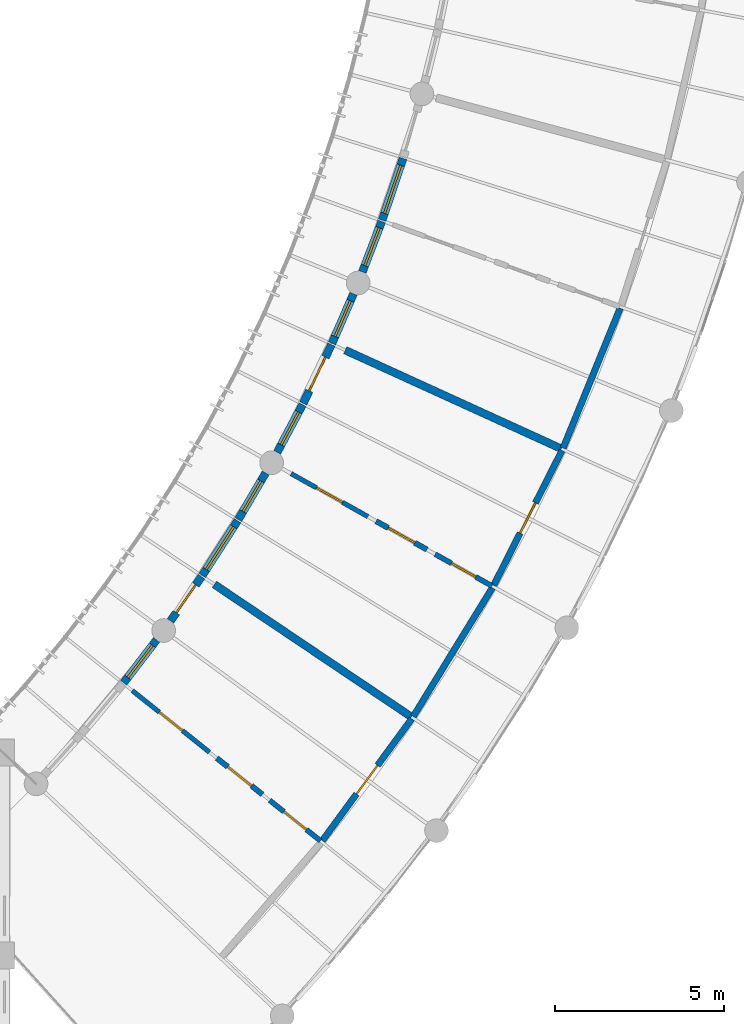
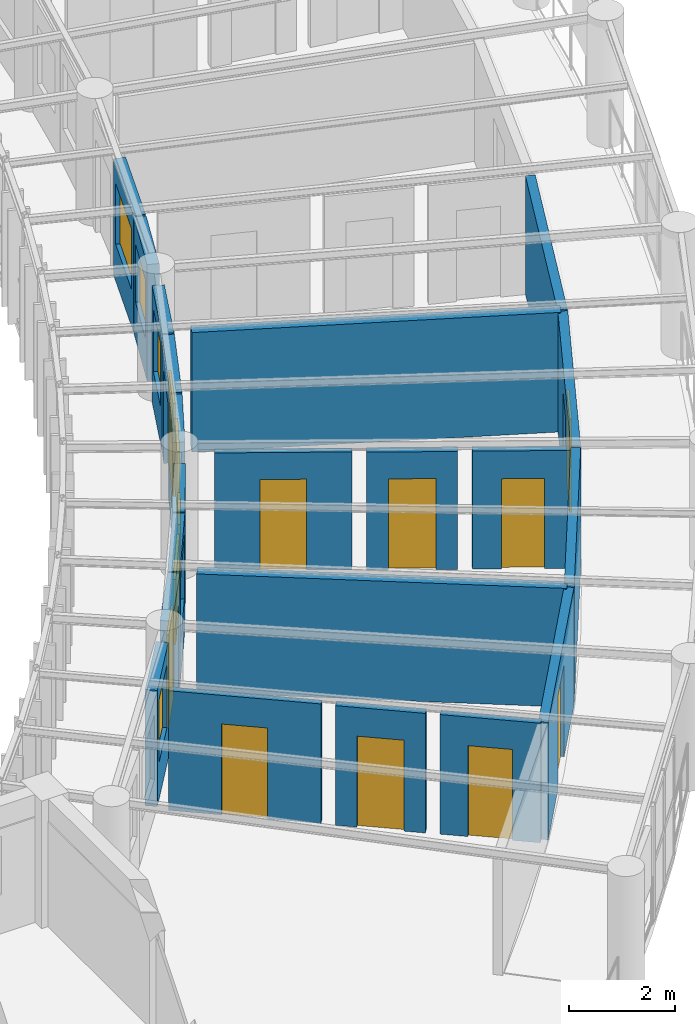
# One storey, part 92 of 137: 21 walls, 10 doors, 7 windows, 17 openings.
"""IFC4 building model written with IfcOpenShell, lengths in metres."""

from ifc_helpers import new_model, si_unit, direction, frame, frame_2d, origin, place, context, subcontext, project, spatial, rectangle, extrude, material, layer, layer_set, type_object, element, fill, save


model = new_model("IFC4")

# Units and contexts
model_context = context("Model", 3, precision=1e-05, world=origin(), true_north=direction((0.0, 1.0)))
body_context = subcontext(model_context, "Body", "Model", "MODEL_VIEW")
ifc_project = project(units=[si_unit("LENGTHUNIT", "METRE"), si_unit("AREAUNIT", "SQUARE_METRE"), si_unit("VOLUMEUNIT", "CUBIC_METRE"), si_unit("PLANEANGLEUNIT", "RADIAN"), si_unit("MASSUNIT", "GRAM", prefix="KILO"), si_unit("POWERUNIT", "WATT"), si_unit("THERMODYNAMICTEMPERATUREUNIT", "KELVIN")], contexts=[model_context])

# Site, building, storey
site_placement = place(None, origin())
site = spatial("IfcSite", under=ifc_project, at=site_placement, CompositionType="ELEMENT")
building_placement = place(site_placement, origin())
building = spatial("IfcBuilding", under=site, at=building_placement, Name="Ruvembo Vaulted Housing Court", CompositionType="ELEMENT")
storey_placement = place(building_placement, frame((0.0, 0.0, 4.5)))
storey = spatial("IfcBuildingStorey", under=building, at=storey_placement, Name="L01", CompositionType="ELEMENT", Elevation=4.5)

# Wall, opening, door
ifc_material_1 = material(Name="Concrete Blockwork 190", Category="masonry")
ifc_layer_1 = layer(ifc_material_1, 0.18994140625, Name="Concrete Blockwork 190")
ifc_layer_set_1 = layer_set([ifc_layer_1], Name="Concrete Blockwork 190")
wall_type_1 = type_object("IfcWallType", Name="WL-CORR-190", PredefinedType="SOLIDWALL", material=ifc_layer_set_1)
wall_1_placement = place(storey_placement, frame((45.392822265625, 39.400390625, 0.0), z_axis=(0.0, 0.0, 1.0), x_axis=(0.591475021239, 0.806323321783, 0.0)))
wall_1 = element("IfcWall", 1, at=wall_1_placement, inside=storey, type_object=wall_type_1, Name="L01 Suite SC1-L01-U1 Entrance WL-INT-L01-00371", PredefinedType="SOLIDWALL", context=body_context, shape_type="SweptSolid", body=[
    extrude(rectangle(XDim=4.467041015625, YDim=0.18994140625, at=frame_2d((2.2333984375, 0.0))), origin(), (0.0, 0.0, 1.0), 2.721923828125),
])
opening_1_placement = place(wall_1_placement, frame((1.70849609375, 0.0, 0.0)))
opening_1 = element("IfcOpeningElement", 2, at=opening_1_placement, cuts=wall_1, Name="Opening FD3", PredefinedType="OPENING", context=body_context, shape_type="SweptSolid", body=[
    extrude(rectangle(XDim=1.050048828125, YDim=2.14990234375, at=frame_2d((0.52490234375, 1.074951171875))), frame((0.0, 0.10498046875, 0.0), z_axis=(0.0, -1.0, 0.0), x_axis=(1.0, 0.0, 0.0)), (0.0, 0.0, 1.0), 0.2099609375),
])
ifc_material_2 = material(Name="FSC Hardwood and Engineered Timber", Category="wood")
door_type_1 = type_object("IfcDoorType", Name="DR-FLAT-1050x2150", OperationType="NOTDEFINED", PredefinedType="DOOR", material=ifc_material_2)
door_1_placement = place(opening_1_placement, origin())
door_1 = element("IfcDoor", 3, at=door_1_placement, inside=storey, type_object=door_type_1, Name="L01 Suite SC1-L01-U1 Entrance Door DR-INT-L01-00188", OperationType="SINGLE_SWING_RIGHT", OverallHeight=2.14990234375, OverallWidth=1.050048828125, PredefinedType="DOOR", context=body_context, shape_type="SweptSolid", body=[
    extrude(rectangle(XDim=1.050048828125, YDim=2.14990234375, at=frame_2d((0.52490234375, 1.074951171875))), frame((0.0, 0.02490234375, 0.0), z_axis=(0.0, -1.0, 0.0), x_axis=(1.0, 0.0, 0.0)), (0.0, 0.0, 1.0), 0.050048828125),
])
fill(opening_1, door_1)

# Wall
wall_2_placement = place(storey_placement, frame((48.07958984375, 43.068603515625, 0.0), z_axis=(0.0, 0.0, 1.0), x_axis=(0.523444746739, 0.852059620632, 0.0)))
element("IfcWall", 4, at=wall_2_placement, inside=storey, type_object=wall_type_1, Name="L01 Suite SC1-L01-U2 Gallery Wall WL-INT-L01-00376", PredefinedType="SOLIDWALL", context=body_context, shape_type="SweptSolid", body=[
    extrude(rectangle(XDim=4.46728515625, YDim=0.18994140625, at=frame_2d((2.233642578125, 0.0))), origin(), (0.0, 0.0, 1.0), 2.761962890625),
])

# Wall, opening, door
wall_3_placement = place(storey_placement, frame((50.45703125, 46.94482421875, 0.0), z_axis=(0.0, 0.0, 1.0), x_axis=(0.451972910967, 0.892031662976, 0.0)))
wall_3 = element("IfcWall", 5, at=wall_3_placement, inside=storey, type_object=wall_type_1, Name="L01 Suite SC1-L01-U2 Entrance WL-INT-L01-00377", PredefinedType="SOLIDWALL", context=body_context, shape_type="SweptSolid", body=[
    extrude(rectangle(XDim=4.46728515625, YDim=0.18994140625, at=frame_2d((2.233642578125, 0.0))), origin(), (0.0, 0.0, 1.0), 2.741943359375),
])
opening_2_placement = place(wall_3_placement, frame((1.733642578125, 0.0, 0.0)))
opening_2 = element("IfcOpeningElement", 6, at=opening_2_placement, cuts=wall_3, Name="Opening FD1", PredefinedType="OPENING", context=body_context, shape_type="SweptSolid", body=[
    extrude(rectangle(XDim=1.0, YDim=2.14990234375, at=frame_2d((0.5, 1.074951171875))), frame((0.0, 0.10498046875, 0.0), z_axis=(0.0, -1.0, 0.0), x_axis=(1.0, 0.0, 0.0)), (0.0, 0.0, 1.0), 0.2099609375),
])
door_type_2 = type_object("IfcDoorType", Name="DR-FLAT-1000x2150", OperationType="NOTDEFINED", PredefinedType="DOOR", material=ifc_material_2)
door_2_placement = place(opening_2_placement, origin())
door_2 = element("IfcDoor", 7, at=door_2_placement, inside=storey, type_object=door_type_2, Name="L01 Suite SC1-L01-U2 Entrance Door DR-INT-L01-00192", OperationType="SINGLE_SWING_RIGHT", OverallHeight=2.14990234375, OverallWidth=1.0, PredefinedType="DOOR", context=body_context, shape_type="SweptSolid", body=[
    extrude(rectangle(XDim=1.0, YDim=2.14990234375, at=frame_2d((0.5, 1.074951171875))), frame((0.0, 0.02490234375, 0.0), z_axis=(0.0, -1.0, 0.0), x_axis=(1.0, 0.0, 0.0)), (0.0, 0.0, 1.0), 0.050048828125),
])
fill(opening_2, door_2)

# Walls
wall_4_placement = place(storey_placement, frame((52.50927734375, 51.00244140625, 0.0), z_axis=(0.0, 0.0, 1.0), x_axis=(0.377413192487, 0.926044967665, 0.0)))
element("IfcWall", 8, at=wall_4_placement, inside=storey, type_object=wall_type_1, Name="L01 Suite SC1-L01-U3 Gallery Wall WL-INT-L01-00382", PredefinedType="SOLIDWALL", context=body_context, shape_type="SweptSolid", body=[
    extrude(rectangle(XDim=4.46728515625, YDim=0.18994140625, at=frame_2d((2.233642578125, 0.0))), origin(), (0.0, 0.0, 1.0), 2.721923828125),
])
ifc_material_3 = material(Name="Acoustic Masonry Demising 230", Category="masonry")
ifc_layer_2 = layer(ifc_material_3, 0.22998046875, Name="Acoustic Masonry Demising 230")
ifc_layer_set_2 = layer_set([ifc_layer_2], Name="Acoustic Masonry Demising 230")
wall_type_2 = type_object("IfcWallType", Name="WL-DEM-230", PredefinedType="SOLIDWALL", material=ifc_layer_set_2)
wall_5_placement = place(storey_placement, frame((42.19970703125, 46.9736328125, 0.0), z_axis=(0.0, 0.0, 1.0), x_axis=(0.82987699708, -0.55794638606, 0.0)))
element("IfcWall", 9, at=wall_5_placement, inside=storey, type_object=wall_type_2, Name="L01 Suite SC1-L01-U1 Demising WL-INT-L01-00375", PredefinedType="SOLIDWALL", context=body_context, shape_type="SweptSolid", body=[
    extrude(rectangle(XDim=7.02001953125, YDim=0.22998046875, at=frame_2d((3.510009765625, 0.0))), origin(), (0.0, 0.0, 1.0), 2.741943359375),
])
wall_6_placement = place(storey_placement, frame((46.07080078125, 53.8955078125, 0.0), z_axis=(0.0, 0.0, 1.0), x_axis=(0.909807068599, -0.415031442095, 0.0)))
element("IfcWall", 10, at=wall_6_placement, inside=storey, type_object=wall_type_2, Name="L01 Suite SC1-L01-U2 Demising WL-INT-L01-00381", PredefinedType="SOLIDWALL", context=body_context, shape_type="SweptSolid", body=[
    extrude(rectangle(XDim=7.02001953125, YDim=0.22998046875, at=frame_2d((3.510009765625, 0.0))), origin(), (0.0, 0.0, 1.0), 2.761962890625),
])

# Wall, opening, window
ifc_material_4 = material(Name="Rendered Masonry 235", Category="masonry")
ifc_layer_3 = layer(ifc_material_4, 0.235107421875, Name="Rendered Masonry 235")
ifc_layer_set_3 = layer_set([ifc_layer_3], Name="Rendered Masonry 235")
wall_type_3 = type_object("IfcWallType", Name="WL-EXT-235", PredefinedType="STANDARD", material=ifc_layer_set_3)
wall_7_placement = place(storey_placement, frame((39.5205078125, 44.06396484375, 0.0), z_axis=(0.0, 0.0, 1.0), x_axis=(0.607921045706, 0.793997482482, 0.0)))
wall_7 = element("IfcWall", 11, at=wall_7_placement, inside=storey, type_object=wall_type_3, Name="Scoop SC1 L01 Concave Balcony Wall 2", PredefinedType="STANDARD", context=body_context, shape_type="SweptSolid", body=[
    extrude(rectangle(XDim=1.5966796875, YDim=0.235107421875, at=frame_2d((0.79833984375, 0.0))), origin(), (0.0, 0.0, 1.0), 2.68408203125),
])
opening_3_placement = place(wall_7_placement, frame((0.198486328125, 0.0, 0.85009765625)))
opening_3 = element("IfcOpeningElement", 12, at=opening_3_placement, cuts=wall_7, Name="Opening W13", PredefinedType="OPENING", context=body_context, shape_type="SweptSolid", body=[
    extrude(rectangle(XDim=1.199951171875, YDim=1.449951171875, at=frame_2d((0.60009765625, 0.72509765625))), frame((0.0, 0.12744140625, 0.0), z_axis=(0.0, -1.0, 0.0), x_axis=(1.0, 0.0, 0.0)), (0.0, 0.0, 1.0), 0.255126953125),
])
ifc_material_5 = material(Name="Double Solar-Control Glazing in Aluminium Frame", Category="aluminium")
window_type_1 = type_object("IfcWindowType", Name="WIN-1200x1450", PartitioningType="SINGLE_PANEL", PredefinedType="WINDOW", material=ifc_material_5)
window_1_placement = place(opening_3_placement, origin())
window_1 = element("IfcWindow", 13, at=window_1_placement, inside=storey, type_object=window_type_1, Name="Scoop SC1 L01 Concave Window 2", OverallHeight=1.449951171875, OverallWidth=1.199951171875, PartitioningType="SINGLE_PANEL", PredefinedType="WINDOW", context=body_context, shape_type="SweptSolid", body=[
    extrude(rectangle(XDim=1.199951171875, YDim=1.449951171875, at=frame_2d((0.60009765625, 0.72509765625))), frame((0.0, 0.030029296875, 0.0), z_axis=(0.0, -1.0, 0.0), x_axis=(1.0, 0.0, 0.0)), (0.0, 0.0, 1.0), 0.06005859375),
])
fill(opening_3, window_1)

# Wall, opening, door
wall_8_placement = place(storey_placement, frame((40.9052734375, 45.896240234375, 0.0), z_axis=(0.0, 0.0, 1.0), x_axis=(0.574754617893, 0.818325808716, 0.0)))
wall_8 = element("IfcWall", 14, at=wall_8_placement, inside=storey, type_object=wall_type_3, Name="Scoop SC1 L01 Concave Balcony Wall 3", PredefinedType="STANDARD", context=body_context, shape_type="SweptSolid", body=[
    extrude(rectangle(XDim=1.5966796875, YDim=0.235107421875, at=frame_2d((0.79833984375, 0.0))), origin(), (0.0, 0.0, 1.0), 2.68408203125),
])
opening_4_placement = place(wall_8_placement, frame((0.29833984375, 0.0, 0.0)))
opening_4 = element("IfcOpeningElement", 15, at=opening_4_placement, cuts=wall_8, Name="Opening BD1", PredefinedType="OPENING", context=body_context, shape_type="SweptSolid", body=[
    extrude(rectangle(XDim=1.0, YDim=2.14990234375, at=frame_2d((0.5, 1.074951171875))), frame((0.0, 0.12744140625, 0.0), z_axis=(0.0, -1.0, 0.0), x_axis=(1.0, 0.0, 0.0)), (0.0, 0.0, 1.0), 0.255126953125),
])
ifc_material_6 = material(Name="Thermally Broken Glazed Aluminium", Category="aluminium")
door_type_3 = type_object("IfcDoorType", Name="DR-BAL-1000x2150", OperationType="NOTDEFINED", PredefinedType="DOOR", material=ifc_material_6)
door_3_placement = place(opening_4_placement, origin())
door_3 = element("IfcDoor", 16, at=door_3_placement, inside=storey, type_object=door_type_3, Name="Scoop SC1 L01 Balcony Door 3", OperationType="SINGLE_SWING_RIGHT", OverallHeight=2.14990234375, OverallWidth=1.0, PredefinedType="DOOR", context=body_context, shape_type="SweptSolid", body=[
    extrude(rectangle(XDim=1.0, YDim=2.14990234375, at=frame_2d((0.5, 1.074951171875))), frame((0.0, 0.02490234375, 0.0), z_axis=(0.0, -1.0, 0.0), x_axis=(1.0, 0.0, 0.0)), (0.0, 0.0, 1.0), 0.050048828125),
])
fill(opening_4, door_3)

# Wall, opening, window
wall_9_placement = place(storey_placement, frame((41.84521484375, 47.236083984375, 0.0), z_axis=(0.0, 0.0, 1.0), x_axis=(0.540911277163, 0.841079657486, 0.0)))
wall_9 = element("IfcWall", 17, at=wall_9_placement, inside=storey, type_object=wall_type_3, Name="Scoop SC1 L01 Concave Balcony Wall 4", PredefinedType="STANDARD", context=body_context, shape_type="SweptSolid", body=[
    extrude(rectangle(XDim=1.9267578125, YDim=0.235107421875, at=frame_2d((0.96337890625, 0.0))), origin(), (0.0, 0.0, 1.0), 2.68408203125),
])
opening_5_placement = place(wall_9_placement, frame((0.21337890625, 0.0, 0.85009765625)))
opening_5 = element("IfcOpeningElement", 18, at=opening_5_placement, cuts=wall_9, Name="Opening W19", PredefinedType="OPENING", context=body_context, shape_type="SweptSolid", body=[
    extrude(rectangle(XDim=1.5, YDim=1.5, at=frame_2d((0.75, 0.75))), frame((0.0, 0.12744140625, 0.0), z_axis=(0.0, -1.0, 0.0), x_axis=(1.0, 0.0, 0.0)), (0.0, 0.0, 1.0), 0.255126953125),
])
window_type_2 = type_object("IfcWindowType", Name="WIN-1500x1500", PartitioningType="SINGLE_PANEL", PredefinedType="WINDOW", material=ifc_material_5)
window_2_placement = place(opening_5_placement, origin())
window_2 = element("IfcWindow", 19, at=window_2_placement, inside=storey, type_object=window_type_2, Name="Scoop SC1 L01 Concave Window 4", OverallHeight=1.5, OverallWidth=1.5, PartitioningType="SINGLE_PANEL", PredefinedType="WINDOW", context=body_context, shape_type="SweptSolid", body=[
    extrude(rectangle(XDim=1.5, YDim=1.5, at=frame_2d((0.75, 0.75))), frame((0.0, 0.030029296875, 0.0), z_axis=(0.0, -1.0, 0.0), x_axis=(1.0, 0.0, 0.0)), (0.0, 0.0, 1.0), 0.06005859375),
])
fill(opening_5, window_2)

wall_10_placement = place(storey_placement, frame((42.908203125, 48.890869140625, 0.0), z_axis=(0.0, 0.0, 1.0), x_axis=(0.505970625323, 0.862550709414, 0.0)))
wall_10 = element("IfcWall", 20, at=wall_10_placement, inside=storey, type_object=wall_type_3, Name="Scoop SC1 L01 Concave Balcony Wall 5", PredefinedType="STANDARD", context=body_context, shape_type="SweptSolid", body=[
    extrude(rectangle(XDim=1.5966796875, YDim=0.235107421875, at=frame_2d((0.79833984375, 0.0))), origin(), (0.0, 0.0, 1.0), 2.68408203125),
])
opening_6_placement = place(wall_10_placement, frame((0.273193359375, 0.0, 0.85009765625)))
opening_6 = element("IfcOpeningElement", 21, at=opening_6_placement, cuts=wall_10, Name="Opening W09", PredefinedType="OPENING", context=body_context, shape_type="SweptSolid", body=[
    extrude(rectangle(XDim=1.050048828125, YDim=1.35009765625, at=frame_2d((0.52490234375, 0.675048828125))), frame((0.0, 0.12744140625, 0.0), z_axis=(0.0, -1.0, 0.0), x_axis=(1.0, 0.0, 0.0)), (0.0, 0.0, 1.0), 0.255126953125),
])
window_type_3 = type_object("IfcWindowType", Name="WIN-1050x1350", PartitioningType="SINGLE_PANEL", PredefinedType="WINDOW", material=ifc_material_5)
window_3_placement = place(opening_6_placement, origin())
window_3 = element("IfcWindow", 22, at=window_3_placement, inside=storey, type_object=window_type_3, Name="Scoop SC1 L01 Concave Window 5", OverallHeight=1.35009765625, OverallWidth=1.050048828125, PartitioningType="SINGLE_PANEL", PredefinedType="WINDOW", context=body_context, shape_type="SweptSolid", body=[
    extrude(rectangle(XDim=1.050048828125, YDim=1.35009765625, at=frame_2d((0.52490234375, 0.675048828125))), frame((0.0, 0.030029296875, 0.0), z_axis=(0.0, -1.0, 0.0), x_axis=(1.0, 0.0, 0.0)), (0.0, 0.0, 1.0), 0.06005859375),
])
fill(opening_6, window_3)

wall_11_placement = place(storey_placement, frame((44.0576171875, 50.87890625, 0.0), z_axis=(0.0, 0.0, 1.0), x_axis=(0.470183436771, 0.882568714484, 0.0)))
wall_11 = element("IfcWall", 23, at=wall_11_placement, inside=storey, type_object=wall_type_3, Name="Scoop SC1 L01 Concave Balcony Wall 6", PredefinedType="STANDARD", context=body_context, shape_type="SweptSolid", body=[
    extrude(rectangle(XDim=1.5966796875, YDim=0.235107421875, at=frame_2d((0.79833984375, 0.0))), origin(), (0.0, 0.0, 1.0), 2.68408203125),
])
opening_7_placement = place(wall_11_placement, frame((0.248291015625, 0.0, 0.85009765625)))
opening_7 = element("IfcOpeningElement", 24, at=opening_7_placement, cuts=wall_11, Name="Opening W10", PredefinedType="OPENING", context=body_context, shape_type="SweptSolid", body=[
    extrude(rectangle(XDim=1.10009765625, YDim=1.449951171875, at=frame_2d((0.550048828125, 0.72509765625))), frame((0.0, 0.12744140625, 0.0), z_axis=(0.0, -1.0, 0.0), x_axis=(1.0, 0.0, 0.0)), (0.0, 0.0, 1.0), 0.255126953125),
])
window_type_4 = type_object("IfcWindowType", Name="WIN-1100x1450", PartitioningType="SINGLE_PANEL", PredefinedType="WINDOW", material=ifc_material_5)
window_4_placement = place(opening_7_placement, origin())
window_4 = element("IfcWindow", 25, at=window_4_placement, inside=storey, type_object=window_type_4, Name="Scoop SC1 L01 Concave Window 6", OverallHeight=1.449951171875, OverallWidth=1.10009765625, PartitioningType="SINGLE_PANEL", PredefinedType="WINDOW", context=body_context, shape_type="SweptSolid", body=[
    extrude(rectangle(XDim=1.10009765625, YDim=1.449951171875, at=frame_2d((0.550048828125, 0.72509765625))), frame((0.0, 0.030029296875, 0.0), z_axis=(0.0, -1.0, 0.0), x_axis=(1.0, 0.0, 0.0)), (0.0, 0.0, 1.0), 0.06005859375),
])
fill(opening_7, window_4)

# Wall, opening, door
wall_12_placement = place(storey_placement, frame((44.826416015625, 52.323974609375, 0.0), z_axis=(0.0, 0.0, 1.0), x_axis=(0.433579410465, 0.90111536155, 0.0)))
wall_12 = element("IfcWall", 26, at=wall_12_placement, inside=storey, type_object=wall_type_3, Name="Scoop SC1 L01 Concave Balcony Wall 7", PredefinedType="STANDARD", context=body_context, shape_type="SweptSolid", body=[
    extrude(rectangle(XDim=1.9267578125, YDim=0.235107421875, at=frame_2d((0.96337890625, 0.0))), origin(), (0.0, 0.0, 1.0), 2.68408203125),
])
opening_8_placement = place(wall_12_placement, frame((0.413330078125, 0.0, 0.0)))
opening_8 = element("IfcOpeningElement", 27, at=opening_8_placement, cuts=wall_12, Name="Opening BD3", PredefinedType="OPENING", context=body_context, shape_type="SweptSolid", body=[
    extrude(rectangle(XDim=1.10009765625, YDim=2.14990234375, at=frame_2d((0.550048828125, 1.074951171875))), frame((0.0, 0.12744140625, 0.0), z_axis=(0.0, -1.0, 0.0), x_axis=(1.0, 0.0, 0.0)), (0.0, 0.0, 1.0), 0.255126953125),
])
door_type_4 = type_object("IfcDoorType", Name="DR-BAL-1100x2150", OperationType="NOTDEFINED", PredefinedType="DOOR", material=ifc_material_6)
door_4_placement = place(opening_8_placement, origin())
door_4 = element("IfcDoor", 28, at=door_4_placement, inside=storey, type_object=door_type_4, Name="Scoop SC1 L01 Balcony Door 7", OperationType="SINGLE_SWING_LEFT", OverallHeight=2.14990234375, OverallWidth=1.10009765625, PredefinedType="DOOR", context=body_context, shape_type="SweptSolid", body=[
    extrude(rectangle(XDim=1.10009765625, YDim=2.14990234375, at=frame_2d((0.550048828125, 1.074951171875))), frame((0.0, 0.02490234375, 0.0), z_axis=(0.0, -1.0, 0.0), x_axis=(1.0, 0.0, 0.0)), (0.0, 0.0, 1.0), 0.050048828125),
])
fill(opening_8, door_4)

# Wall, opening, window
wall_13_placement = place(storey_placement, frame((45.678466796875, 54.0966796875, 0.0), z_axis=(0.0, 0.0, 1.0), x_axis=(0.396353998836, 0.918097765822, 0.0)))
wall_13 = element("IfcWall", 29, at=wall_13_placement, inside=storey, type_object=wall_type_3, Name="Scoop SC1 L01 Concave Balcony Wall 8", PredefinedType="STANDARD", context=body_context, shape_type="SweptSolid", body=[
    extrude(rectangle(XDim=1.5966796875, YDim=0.235107421875, at=frame_2d((0.79833984375, 0.0))), origin(), (0.0, 0.0, 1.0), 2.68408203125),
])
opening_9_placement = place(wall_13_placement, frame((0.223388671875, 0.0, 0.85009765625)))
opening_9 = element("IfcOpeningElement", 30, at=opening_9_placement, cuts=wall_13, Name="Opening W11", PredefinedType="OPENING", context=body_context, shape_type="SweptSolid", body=[
    extrude(rectangle(XDim=1.14990234375, YDim=1.449951171875, at=frame_2d((0.574951171875, 0.72509765625))), frame((0.0, 0.12744140625, 0.0), z_axis=(0.0, -1.0, 0.0), x_axis=(1.0, 0.0, 0.0)), (0.0, 0.0, 1.0), 0.255126953125),
])
window_type_5 = type_object("IfcWindowType", Name="WIN-1150x1450", PartitioningType="SINGLE_PANEL", PredefinedType="WINDOW", material=ifc_material_5)
window_5_placement = place(opening_9_placement, origin())
window_5 = element("IfcWindow", 31, at=window_5_placement, inside=storey, type_object=window_type_5, Name="Scoop SC1 L01 Concave Window 8", OverallHeight=1.449951171875, OverallWidth=1.14990234375, PartitioningType="SINGLE_PANEL", PredefinedType="WINDOW", context=body_context, shape_type="SweptSolid", body=[
    extrude(rectangle(XDim=1.14990234375, YDim=1.449951171875, at=frame_2d((0.574951171875, 0.72509765625))), frame((0.0, 0.030029296875, 0.0), z_axis=(0.0, -1.0, 0.0), x_axis=(1.0, 0.0, 0.0)), (0.0, 0.0, 1.0), 0.06005859375),
])
fill(opening_9, window_5)

wall_14_placement = place(storey_placement, frame((46.575439453125, 56.210693359375, 0.0), z_axis=(0.0, 0.0, 1.0), x_axis=(0.358384767005, 0.933573970705, 0.0)))
wall_14 = element("IfcWall", 32, at=wall_14_placement, inside=storey, type_object=wall_type_3, Name="Scoop SC1 L01 Concave Balcony Wall 9", PredefinedType="STANDARD", context=body_context, shape_type="SweptSolid", body=[
    extrude(rectangle(XDim=1.5966796875, YDim=0.235107421875, at=frame_2d((0.79833984375, 0.0))), origin(), (0.0, 0.0, 1.0), 2.68408203125),
])
opening_10_placement = place(wall_14_placement, frame((0.198486328125, 0.0, 0.85009765625)))
opening_10 = element("IfcOpeningElement", 33, at=opening_10_placement, cuts=wall_14, Name="Opening W12", PredefinedType="OPENING", context=body_context, shape_type="SweptSolid", body=[
    extrude(rectangle(XDim=1.199951171875, YDim=1.35009765625, at=frame_2d((0.60009765625, 0.675048828125))), frame((0.0, 0.12744140625, 0.0), z_axis=(0.0, -1.0, 0.0), x_axis=(1.0, 0.0, 0.0)), (0.0, 0.0, 1.0), 0.255126953125),
])
window_type_6 = type_object("IfcWindowType", Name="WIN-1200x1350", PartitioningType="SINGLE_PANEL", PredefinedType="WINDOW", material=ifc_material_5)
window_6_placement = place(opening_10_placement, origin())
window_6 = element("IfcWindow", 34, at=window_6_placement, inside=storey, type_object=window_type_6, Name="Scoop SC1 L01 Concave Window 9", OverallHeight=1.35009765625, OverallWidth=1.199951171875, PartitioningType="SINGLE_PANEL", PredefinedType="WINDOW", context=body_context, shape_type="SweptSolid", body=[
    extrude(rectangle(XDim=1.199951171875, YDim=1.35009765625, at=frame_2d((0.60009765625, 0.675048828125))), frame((0.0, 0.030029296875, 0.0), z_axis=(0.0, -1.0, 0.0), x_axis=(1.0, 0.0, 0.0)), (0.0, 0.0, 1.0), 0.06005859375),
])
fill(opening_10, window_6)

wall_15_placement = place(storey_placement, frame((47.161376953125, 57.739013671875, 0.0), z_axis=(0.0, 0.0, 1.0), x_axis=(0.319798549746, 0.947485560618, 0.0)))
wall_15 = element("IfcWall", 35, at=wall_15_placement, inside=storey, type_object=wall_type_3, Name="Scoop SC1 L01 Concave Balcony Wall 10", PredefinedType="STANDARD", context=body_context, shape_type="SweptSolid", body=[
    extrude(rectangle(XDim=1.9267578125, YDim=0.235107421875, at=frame_2d((0.96337890625, 0.0))), origin(), (0.0, 0.0, 1.0), 2.68408203125),
])
opening_11_placement = place(wall_15_placement, frame((0.21337890625, 0.0, 0.85009765625)))
opening_11 = element("IfcOpeningElement", 36, at=opening_11_placement, cuts=wall_15, Name="Opening W18", PredefinedType="OPENING", context=body_context, shape_type="SweptSolid", body=[
    extrude(rectangle(XDim=1.5, YDim=1.39990234375, at=frame_2d((0.75, 0.699951171875))), frame((0.0, 0.12744140625, 0.0), z_axis=(0.0, -1.0, 0.0), x_axis=(1.0, 0.0, 0.0)), (0.0, 0.0, 1.0), 0.255126953125),
])
window_type_7 = type_object("IfcWindowType", Name="WIN-1500x1400", PartitioningType="SINGLE_PANEL", PredefinedType="WINDOW", material=ifc_material_5)
window_7_placement = place(opening_11_placement, origin())
window_7 = element("IfcWindow", 37, at=window_7_placement, inside=storey, type_object=window_type_7, Name="Scoop SC1 L01 Concave Window 10", OverallHeight=1.39990234375, OverallWidth=1.5, PartitioningType="SINGLE_PANEL", PredefinedType="WINDOW", context=body_context, shape_type="SweptSolid", body=[
    extrude(rectangle(XDim=1.5, YDim=1.39990234375, at=frame_2d((0.75, 0.699951171875))), frame((0.0, 0.030029296875, 0.0), z_axis=(0.0, -1.0, 0.0), x_axis=(1.0, 0.0, 0.0)), (0.0, 0.0, 1.0), 0.06005859375),
])
fill(opening_11, window_7)

# Wall, opening, door
ifc_material_7 = material(Name="Acoustic Stud Partition 135", Category="gypsum")
ifc_layer_4 = layer(ifc_material_7, 0.135009765625, Name="Acoustic Stud Partition 135")
ifc_layer_set_4 = layer_set([ifc_layer_4], Name="Acoustic Stud Partition 135")
wall_type_4 = type_object("IfcWallType", Name="WL-PART-135", PredefinedType="PARTITIONING", material=ifc_layer_set_4)
wall_16_placement = place(storey_placement, frame((39.774169921875, 43.8359375, 0.0), z_axis=(0.0, 0.0, 1.0), x_axis=(0.781431339385, -0.623991235377, 0.0)))
wall_16 = element("IfcWall", 38, at=wall_16_placement, inside=storey, type_object=wall_type_4, Name="L01 Suite SC1-L01-U1 Bedroom WL-INT-L01-00372", PredefinedType="PARTITIONING", context=body_context, shape_type="SweptSolid", body=[
    extrude(rectangle(XDim=2.919921875, YDim=0.135009765625, at=frame_2d((1.4599609375, 0.0))), origin(), (0.0, 0.0, 1.0), 2.761962890625),
])
opening_12_placement = place(wall_16_placement, frame((1.02001953125, 0.0, 0.0)))
opening_12 = element("IfcOpeningElement", 39, at=opening_12_placement, cuts=wall_16, Name="Opening ID3", PredefinedType="OPENING", context=body_context, shape_type="SweptSolid", body=[
    extrude(rectangle(XDim=0.8798828125, YDim=2.10009765625, at=frame_2d((0.43994140625, 1.050048828125))), frame((0.0, 0.077392578125, 0.0), z_axis=(0.0, -1.0, 0.0), x_axis=(1.0, 0.0, 0.0)), (0.0, 0.0, 1.0), 0.155029296875),
])
door_type_5 = type_object("IfcDoorType", Name="DR-ROOM-0880x2100", OperationType="NOTDEFINED", PredefinedType="DOOR", material=ifc_material_2)
door_5_placement = place(opening_12_placement, origin())
door_5 = element("IfcDoor", 40, at=door_5_placement, inside=storey, type_object=door_type_5, Name="L01 Suite SC1-L01-U1 Bedroom Door DR-INT-L01-00189", OperationType="SINGLE_SWING_LEFT", OverallHeight=2.10009765625, OverallWidth=0.8798828125, PredefinedType="DOOR", context=body_context, shape_type="SweptSolid", body=[
    extrude(rectangle(XDim=0.8798828125, YDim=2.10009765625, at=frame_2d((0.43994140625, 1.050048828125))), frame((0.0, 0.02490234375, 0.0), z_axis=(0.0, -1.0, 0.0), x_axis=(1.0, 0.0, 0.0)), (0.0, 0.0, 1.0), 0.050048828125),
])
fill(opening_12, door_5)

wall_17_placement = place(storey_placement, frame((44.468994140625, 50.247802734375, 0.0), z_axis=(0.0, 0.0, 1.0), x_axis=(0.872794081277, -0.488088610487, 0.0)))
wall_17 = element("IfcWall", 41, at=wall_17_placement, inside=storey, type_object=wall_type_4, Name="L01 Suite SC1-L01-U2 Bedroom WL-INT-L01-00378", PredefinedType="PARTITIONING", context=body_context, shape_type="SweptSolid", body=[
    extrude(rectangle(XDim=2.60009765625, YDim=0.135009765625, at=frame_2d((1.300048828125, 0.0))), origin(), (0.0, 0.0, 1.0), 2.721923828125),
])
opening_13_placement = place(wall_17_placement, frame((0.860107421875, 0.0, 0.0)))
opening_13 = element("IfcOpeningElement", 42, at=opening_13_placement, cuts=wall_17, Name="Opening ID3", PredefinedType="OPENING", context=body_context, shape_type="SweptSolid", body=[
    extrude(rectangle(XDim=0.8798828125, YDim=2.10009765625, at=frame_2d((0.43994140625, 1.050048828125))), frame((0.0, 0.077392578125, 0.0), z_axis=(0.0, -1.0, 0.0), x_axis=(1.0, 0.0, 0.0)), (0.0, 0.0, 1.0), 0.155029296875),
])
door_6_placement = place(opening_13_placement, origin())
door_6 = element("IfcDoor", 43, at=door_6_placement, inside=storey, type_object=door_type_5, Name="L01 Suite SC1-L01-U2 Bedroom Door DR-INT-L01-00193", OperationType="SINGLE_SWING_LEFT", OverallHeight=2.10009765625, OverallWidth=0.8798828125, PredefinedType="DOOR", context=body_context, shape_type="SweptSolid", body=[
    extrude(rectangle(XDim=0.8798828125, YDim=2.10009765625, at=frame_2d((0.43994140625, 1.050048828125))), frame((0.0, 0.02490234375, 0.0), z_axis=(0.0, -1.0, 0.0), x_axis=(1.0, 0.0, 0.0)), (0.0, 0.0, 1.0), 0.050048828125),
])
fill(opening_13, door_6)

ifc_material_8 = material(Name="Moisture-Resistant Wet Partition 150", Category="gypsum")
ifc_layer_5 = layer(ifc_material_8, 0.14990234375, Name="Moisture-Resistant Wet Partition 150")
ifc_layer_set_5 = layer_set([ifc_layer_5], Name="Moisture-Resistant Wet Partition 150")
wall_type_5 = type_object("IfcWallType", Name="WL-PART-150", PredefinedType="PARTITIONING", material=ifc_layer_set_5)
wall_18_placement = place(storey_placement, frame((43.837646484375, 40.591064453125, 0.0), z_axis=(0.0, 0.0, 1.0), x_axis=(0.781426781444, -0.623996943295, 0.0)))
wall_18 = element("IfcWall", 44, at=wall_18_placement, inside=storey, type_object=wall_type_5, Name="L01 Suite SC1-L01-U1 Bathroom WL-INT-L01-00374", PredefinedType="PARTITIONING", context=body_context, shape_type="SweptSolid", body=[
    extrude(rectangle(XDim=1.919921875, YDim=0.14990234375, at=frame_2d((0.9599609375, 0.0))), origin(), (0.0, 0.0, 1.0), 2.761962890625),
])
opening_14_placement = place(wall_18_placement, frame((0.534912109375, 0.0, 0.0)))
opening_14 = element("IfcOpeningElement", 45, at=opening_14_placement, cuts=wall_18, Name="Opening ID2", PredefinedType="OPENING", context=body_context, shape_type="SweptSolid", body=[
    extrude(rectangle(XDim=0.85009765625, YDim=2.10009765625, at=frame_2d((0.425048828125, 1.050048828125))), frame((0.0, 0.0849609375, 0.0), z_axis=(0.0, -1.0, 0.0), x_axis=(1.0, 0.0, 0.0)), (0.0, 0.0, 1.0), 0.169921875),
])
door_type_6 = type_object("IfcDoorType", Name="DR-WET-0850x2100", OperationType="NOTDEFINED", PredefinedType="DOOR", material=ifc_material_2)
door_7_placement = place(opening_14_placement, origin())
door_7 = element("IfcDoor", 46, at=door_7_placement, inside=storey, type_object=door_type_6, Name="L01 Suite SC1-L01-U1 Bathroom Door DR-INT-L01-00191", OperationType="SINGLE_SWING_LEFT", OverallHeight=2.10009765625, OverallWidth=0.85009765625, PredefinedType="DOOR", context=body_context, shape_type="SweptSolid", body=[
    extrude(rectangle(XDim=0.85009765625, YDim=2.10009765625, at=frame_2d((0.425048828125, 1.050048828125))), frame((0.0, 0.02490234375, 0.0), z_axis=(0.0, -1.0, 0.0), x_axis=(1.0, 0.0, 0.0)), (0.0, 0.0, 1.0), 0.050048828125),
])
fill(opening_14, door_7)

wall_19_placement = place(storey_placement, frame((48.728271484375, 47.86572265625, 0.0), z_axis=(0.0, 0.0, 1.0), x_axis=(0.8728224149, -0.488037941198, 0.0)))
wall_19 = element("IfcWall", 47, at=wall_19_placement, inside=storey, type_object=wall_type_5, Name="L01 Suite SC1-L01-U2 Bathroom WL-INT-L01-00380", PredefinedType="PARTITIONING", context=body_context, shape_type="SweptSolid", body=[
    extrude(rectangle(XDim=1.919921875, YDim=0.14990234375, at=frame_2d((0.9599609375, 0.0))), origin(), (0.0, 0.0, 1.0), 2.721923828125),
])
opening_15_placement = place(wall_19_placement, frame((0.550048828125, 0.0, 0.0)))
opening_15 = element("IfcOpeningElement", 48, at=opening_15_placement, cuts=wall_19, Name="Opening ID4", PredefinedType="OPENING", context=body_context, shape_type="SweptSolid", body=[
    extrude(rectangle(XDim=0.820068359375, YDim=2.080078125, at=frame_2d((0.41015625, 1.0400390625))), frame((0.0, 0.0849609375, 0.0), z_axis=(0.0, -1.0, 0.0), x_axis=(1.0, 0.0, 0.0)), (0.0, 0.0, 1.0), 0.169921875),
])
door_type_7 = type_object("IfcDoorType", Name="DR-WET-0820x2080", OperationType="NOTDEFINED", PredefinedType="DOOR", material=ifc_material_2)
door_8_placement = place(opening_15_placement, origin())
door_8 = element("IfcDoor", 49, at=door_8_placement, inside=storey, type_object=door_type_7, Name="L01 Suite SC1-L01-U2 Bathroom Door DR-INT-L01-00195", OperationType="SINGLE_SWING_LEFT", OverallHeight=2.080078125, OverallWidth=0.820068359375, PredefinedType="DOOR", context=body_context, shape_type="SweptSolid", body=[
    extrude(rectangle(XDim=0.820068359375, YDim=2.080078125, at=frame_2d((0.41015625, 1.0400390625))), frame((0.0, 0.02490234375, 0.0), z_axis=(0.0, -1.0, 0.0), x_axis=(1.0, 0.0, 0.0)), (0.0, 0.0, 1.0), 0.050048828125),
])
fill(opening_15, door_8)

ifc_material_9 = material(Name="Acoustic Service Chase Wall 160", Category="gypsum")
ifc_layer_6 = layer(ifc_material_9, 0.159912109375, Name="Acoustic Service Chase Wall 160")
ifc_layer_set_6 = layer_set([ifc_layer_6], Name="Acoustic Service Chase Wall 160")
wall_type_6 = type_object("IfcWallType", Name="WL-PLUMB-160", PredefinedType="PLUMBINGWALL", material=ifc_layer_set_6)
wall_20_placement = place(storey_placement, frame((42.274658203125, 41.839111328125, 0.0), z_axis=(0.0, 0.0, 1.0), x_axis=(0.781422444937, -0.624002373832, 0.0)))
wall_20 = element("IfcWall", 50, at=wall_20_placement, inside=storey, type_object=wall_type_6, Name="L01 Suite SC1-L01-U1 Kitchen WL-INT-L01-00373", PredefinedType="PLUMBINGWALL", context=body_context, shape_type="SweptSolid", body=[
    extrude(rectangle(XDim=1.719970703125, YDim=0.159912109375, at=frame_2d((0.85986328125, 0.0))), origin(), (0.0, 0.0, 1.0), 2.761962890625),
])
opening_16_placement = place(wall_20_placement, frame((0.409912109375, 0.0, 0.0)))
opening_16 = element("IfcOpeningElement", 51, at=opening_16_placement, cuts=wall_20, Name="Opening ID1", PredefinedType="OPENING", context=body_context, shape_type="SweptSolid", body=[
    extrude(rectangle(XDim=0.89990234375, YDim=2.10009765625, at=frame_2d((0.449951171875, 1.050048828125))), frame((0.0, 0.08984375, 0.0), z_axis=(0.0, -1.0, 0.0), x_axis=(1.0, 0.0, 0.0)), (0.0, 0.0, 1.0), 0.179931640625),
])
door_type_8 = type_object("IfcDoorType", Name="DR-ROOM-0900x2100", OperationType="NOTDEFINED", PredefinedType="DOOR", material=ifc_material_2)
door_9_placement = place(opening_16_placement, origin())
door_9 = element("IfcDoor", 52, at=door_9_placement, inside=storey, type_object=door_type_8, Name="L01 Suite SC1-L01-U1 Kitchen Door DR-INT-L01-00190", OperationType="SINGLE_SWING_RIGHT", OverallHeight=2.10009765625, OverallWidth=0.89990234375, PredefinedType="DOOR", context=body_context, shape_type="SweptSolid", body=[
    extrude(rectangle(XDim=0.89990234375, YDim=2.10009765625, at=frame_2d((0.449951171875, 1.050048828125))), frame((0.0, 0.02490234375, 0.0), z_axis=(0.0, -1.0, 0.0), x_axis=(1.0, 0.0, 0.0)), (0.0, 0.0, 1.0), 0.050048828125),
])
fill(opening_16, door_9)

wall_21_placement = place(storey_placement, frame((46.982666015625, 48.842041015625, 0.0), z_axis=(0.0, 0.0, 1.0), x_axis=(0.872774545553, -0.48812354239, 0.0)))
wall_21 = element("IfcWall", 53, at=wall_21_placement, inside=storey, type_object=wall_type_6, Name="L01 Suite SC1-L01-U2 Kitchen WL-INT-L01-00379", PredefinedType="PLUMBINGWALL", context=body_context, shape_type="SweptSolid", body=[
    extrude(rectangle(XDim=1.719970703125, YDim=0.159912109375, at=frame_2d((0.85986328125, 0.0))), origin(), (0.0, 0.0, 1.0), 2.721923828125),
])
opening_17_placement = place(wall_21_placement, frame((0.409912109375, 0.0, 0.0)))
opening_17 = element("IfcOpeningElement", 54, at=opening_17_placement, cuts=wall_21, Name="Opening ID1", PredefinedType="OPENING", context=body_context, shape_type="SweptSolid", body=[
    extrude(rectangle(XDim=0.89990234375, YDim=2.10009765625, at=frame_2d((0.449951171875, 1.050048828125))), frame((0.0, 0.08984375, 0.0), z_axis=(0.0, -1.0, 0.0), x_axis=(1.0, 0.0, 0.0)), (0.0, 0.0, 1.0), 0.179931640625),
])
door_10_placement = place(opening_17_placement, origin())
door_10 = element("IfcDoor", 55, at=door_10_placement, inside=storey, type_object=door_type_8, Name="L01 Suite SC1-L01-U2 Kitchen Door DR-INT-L01-00194", OperationType="SINGLE_SWING_RIGHT", OverallHeight=2.10009765625, OverallWidth=0.89990234375, PredefinedType="DOOR", context=body_context, shape_type="SweptSolid", body=[
    extrude(rectangle(XDim=0.89990234375, YDim=2.10009765625, at=frame_2d((0.449951171875, 1.050048828125))), frame((0.0, 0.02490234375, 0.0), z_axis=(0.0, -1.0, 0.0), x_axis=(1.0, 0.0, 0.0)), (0.0, 0.0, 1.0), 0.050048828125),
])
fill(opening_17, door_10)

save(model, "model.ifc")
